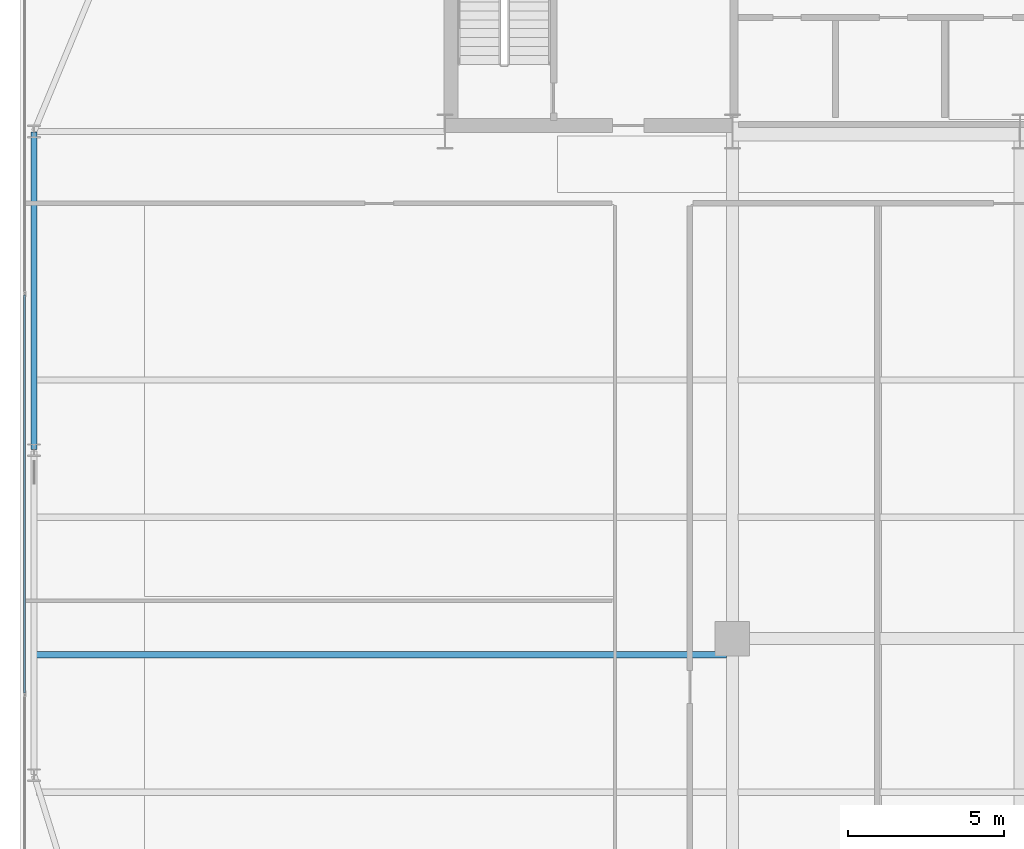
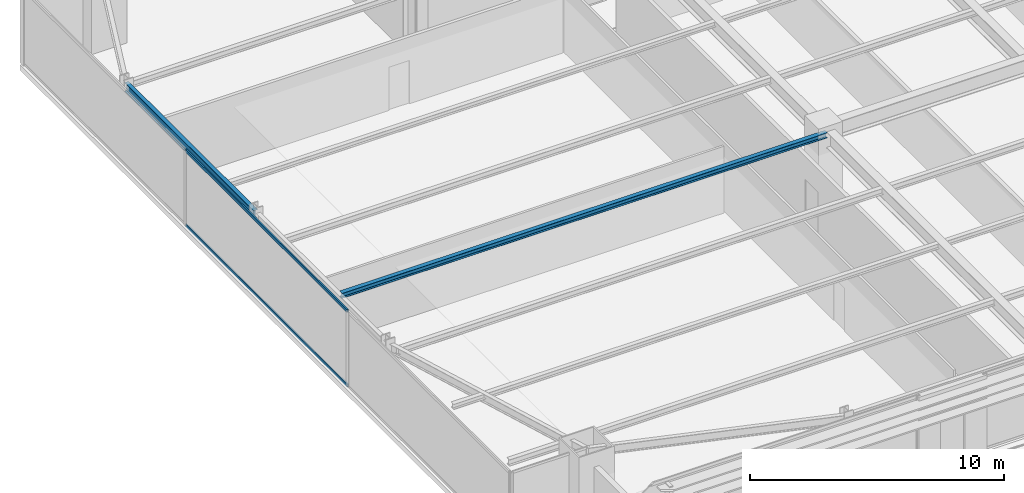
# One storey, part 9 of 31: 2 beams, 2 members, 1 element without a shape of its own.
"""IFC4 building model written with IfcOpenShell, lengths in metres."""

from ifc_helpers import new_model, si_unit, direction, frame, origin, origin_2d, place, context, subcontext, project, spatial, hollow_rectangle, i_section, extrude, source, transform, mapped, material, layer, layer_set, material_profile, profile_set, type_object, type_shapes, element, aggregate, save


model = new_model("IFC4")

# Units and contexts
model_context = context("Model", 3, precision=1e-05, world=origin(), true_north=direction((0.0, 1.0)))
body_context = subcontext(model_context, "Body", "Model", "MODEL_VIEW")
ifc_project = project(units=[si_unit("LENGTHUNIT", "METRE"), si_unit("AREAUNIT", "SQUARE_METRE"), si_unit("VOLUMEUNIT", "CUBIC_METRE"), si_unit("PLANEANGLEUNIT", "RADIAN"), si_unit("MASSUNIT", "GRAM", prefix="KILO")], contexts=[model_context])

# Site, building, storey
site_placement = place(None, origin())
site = spatial("IfcSite", under=ifc_project, at=site_placement, CompositionType="ELEMENT")
building_placement = place(site_placement, origin())
building = spatial("IfcBuilding", under=site, at=building_placement, Name="Varnel Quay Broadcast Tower", CompositionType="ELEMENT")
storey_placement = place(building_placement, frame((0.0, 0.0, 35.39990234375)))
storey = spatial("IfcBuildingStorey", under=building, at=storey_placement, Name="L07", CompositionType="ELEMENT", Elevation=35.39990234375)

# Beams
ifc_material_1 = material(Name="Structural Steel CSA G40.21 350W", Category="steel")
ifc_material_profile_1 = material_profile(ifc_material_1, i_section(OverallWidth=0.180908203125, OverallDepth=0.4169921875, WebThickness=0.010986328125, FlangeThickness=0.018310546875, FilletRadius=0.011962890625, at=origin_2d()), Name="W410X85")
ifc_profile_set_1 = profile_set([ifc_material_profile_1], Name="Structural Steel CSA G40.21 350W")
beam_type_1 = type_object("IfcBeamType", Name="Beam_W410X85", PredefinedType="SPANDREL", material=ifc_profile_set_1)
shared_shape_1 = source(origin(), body_context, "Body", "SweptSolid", [
    extrude(i_section(OverallWidth=0.180908203125, OverallDepth=0.4169921875, WebThickness=0.010986328125, FlangeThickness=0.018310546875, FilletRadius=0.011962890625, at=origin_2d()), origin(), (0.0, 0.0, 1.0), 10.16015625),
])
type_shapes(beam_type_1, [shared_shape_1])
beam_1_placement = place(storey_placement, frame((2.449951171875, 25.419921875, 3.441650390625), z_axis=(0.0, 1.0, 0.0), x_axis=(-1.0, 0.0, 0.0)))
element("IfcBeam", 1, at=beam_1_placement, inside=storey, type_object=beam_type_1, Name="L07 West Spandrel TC-W2-TC-W3", PredefinedType="SPANDREL", context=body_context, shape_type="MappedRepresentation", body=[
    mapped(shared_shape_1, transform((0.0, 0.0, 0.0), x_axis=(1.0, 0.0, 0.0), y_axis=(0.0, 1.0, 0.0), z_axis=(0.0, 0.0, 1.0), scale=1.0)),
])
ifc_material_profile_2 = material_profile(ifc_material_1, i_section(OverallWidth=0.201904296875, OverallDepth=0.2470703125, WebThickness=0.00732421875, FlangeThickness=0.010986328125, FilletRadius=0.010986328125, at=origin_2d()), Name="W250X49")
ifc_profile_set_2 = profile_set([ifc_material_profile_2], Name="Structural Steel CSA G40.21 350W")
beam_type_2 = type_object("IfcBeamType", Name="Beam_W250X49", PredefinedType="JOIST", material=ifc_profile_set_2)
shared_shape_2 = source(origin(), body_context, "Body", "SweptSolid", [
    extrude(i_section(OverallWidth=0.201904296875, OverallDepth=0.2470703125, WebThickness=0.00732421875, FlangeThickness=0.010986328125, FilletRadius=0.010986328125, at=origin_2d()), origin(), (0.0, 0.0, 1.0), 22.0791015625),
])
type_shapes(beam_type_2, [shared_shape_2])
beam_2_placement = place(storey_placement, frame((2.535400390625, 18.85009765625, 3.526611328125), z_axis=(1.0, 0.0, 0.0), x_axis=(0.0, 1.0, 0.0)))
element("IfcBeam", 2, at=beam_2_placement, inside=storey, type_object=beam_type_2, Name="L07 West Floor Joist 4", PredefinedType="JOIST", context=body_context, shape_type="MappedRepresentation", body=[
    mapped(shared_shape_2, transform((0.0, 0.0, 0.0), x_axis=(1.0, 0.0, 0.0), y_axis=(0.0, 1.0, 0.0), z_axis=(0.0, 0.0, 1.0), scale=1.0)),
])

# Curtain wall, members
ifc_material_2 = material(Name="Anodised Bronze Aluminium 6063-T6", Category="aluminium")
ifc_layer = layer(ifc_material_2, 0.18994140625, Name="Anodised Bronze Aluminium 6063-T6")
ifc_layer_set = layer_set([ifc_layer], Name="Anodised Bronze Aluminium 6063-T6")
curtain_wall_type = type_object("IfcCurtainWallType", Name="CW_LowerTower", PredefinedType="NOTDEFINED", material=ifc_layer_set)
curtain_wall_placement = place(storey_placement, origin())
curtain_wall = element("IfcCurtainWall", 3, at=curtain_wall_placement, inside=storey, type_object=curtain_wall_type, Name="L07 West Unitised Curtain Wall", PredefinedType="NOTDEFINED")
ifc_material_profile_3 = material_profile(ifc_material_2, hollow_rectangle(XDim=0.06005859375, YDim=0.14501953125, WallThickness=0.00341796875, at=origin_2d()), Name="ALU60X145X3.5")
ifc_profile_set_3 = profile_set([ifc_material_profile_3], Name="Anodised Bronze Aluminium 6063-T6")
member_type = type_object("IfcMemberType", Name="Tran_CWS-02", PredefinedType="USERDEFINED", material=ifc_profile_set_3)
shared_shape_3 = source(origin(), body_context, "Body", "SweptSolid", [
    extrude(hollow_rectangle(XDim=0.06005859375, YDim=0.14501953125, WallThickness=0.00341796875, at=origin_2d()), origin(), (0.0, 0.0, 1.0), 12.72998046875),
])
type_shapes(member_type, [shared_shape_3])
member_1_placement = place(storey_placement, frame((2.14990234375, 17.635009765625, 0.030029296875), z_axis=(0.0, 1.0, 0.0), x_axis=(-1.0, 0.0, 0.0)))
member_1 = element("IfcMember", 4, at=member_1_placement, type_object=member_type, Name="CWS-02 transom 2.1", ObjectType="TRANSOM", PredefinedType="USERDEFINED", context=body_context, shape_type="MappedRepresentation", body=[
    mapped(shared_shape_3, transform((0.0, 0.0, 0.0), x_axis=(1.0, 0.0, 0.0), y_axis=(0.0, 1.0, 0.0), z_axis=(0.0, 0.0, 1.0), scale=1.0)),
])
member_2_placement = place(storey_placement, frame((2.14990234375, 17.635009765625, 3.6201171875), z_axis=(0.0, 1.0, 0.0), x_axis=(-1.0, 0.0, 0.0)))
member_2 = element("IfcMember", 5, at=member_2_placement, type_object=member_type, Name="CWS-02 transom 2.2", ObjectType="TRANSOM", PredefinedType="USERDEFINED", context=body_context, shape_type="MappedRepresentation", body=[
    mapped(shared_shape_3, transform((0.0, 0.0, 0.0), x_axis=(1.0, 0.0, 0.0), y_axis=(0.0, 1.0, 0.0), z_axis=(0.0, 0.0, 1.0), scale=1.0)),
])
aggregate(curtain_wall, [member_1, member_2])

save(model, "model.ifc")
